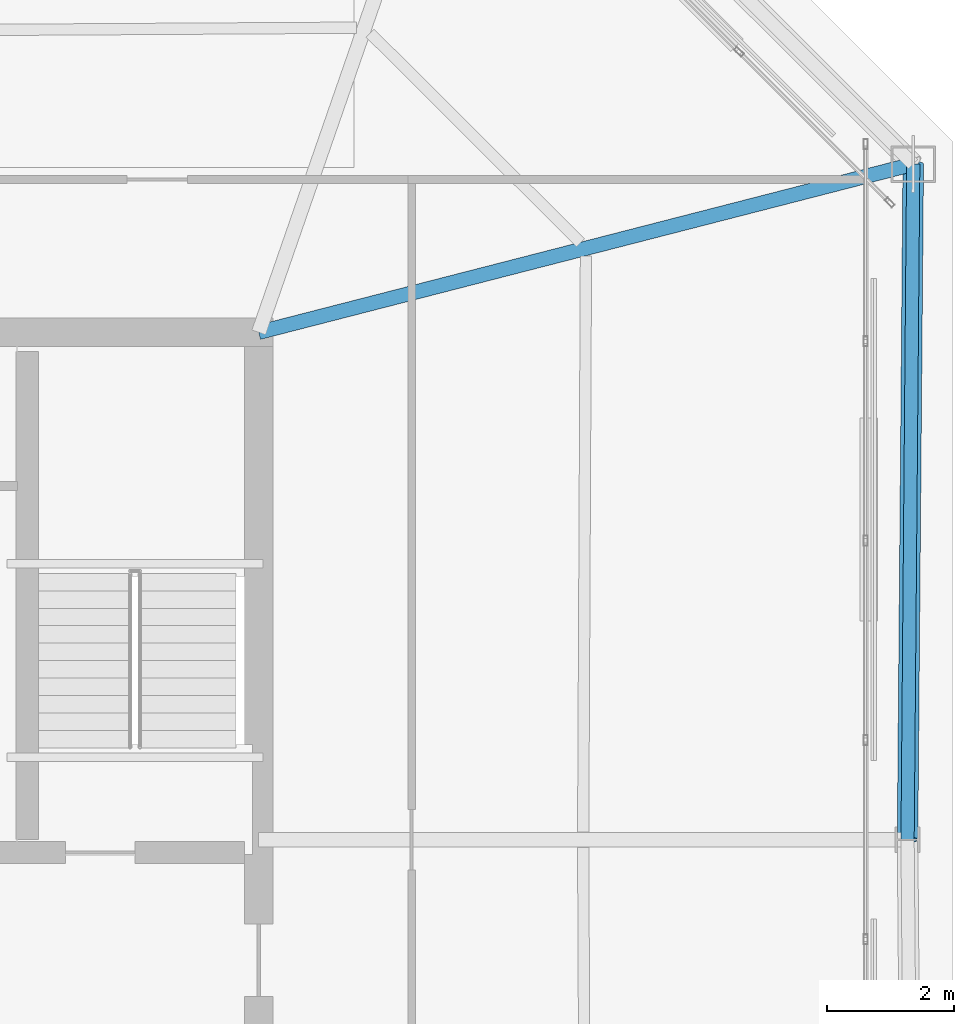
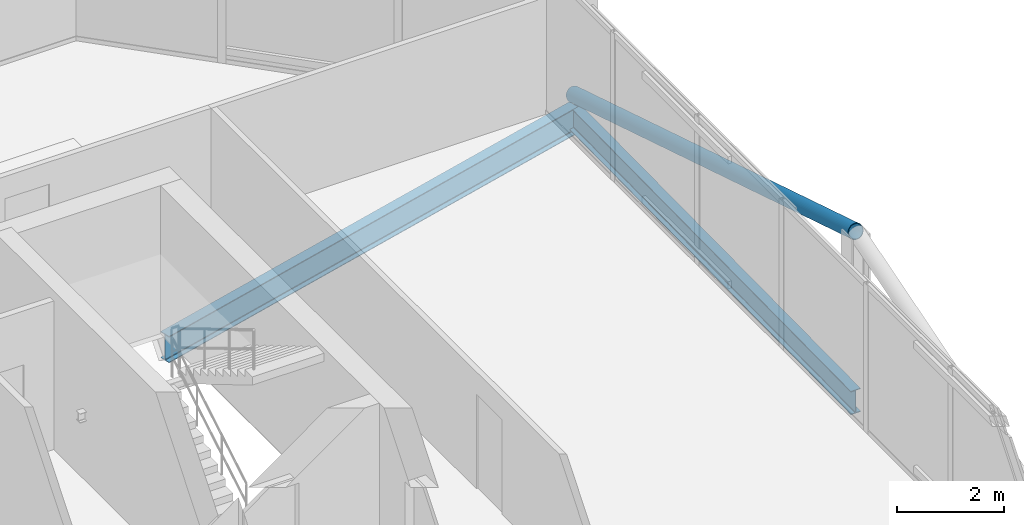
# One storey, part 18 of 26: 2 beams, 1 member.
"""IFC4 building model written with IfcOpenShell, lengths in metres."""

from ifc_helpers import new_model, si_unit, direction, frame, origin, origin_2d, place, context, subcontext, project, spatial, hollow_circle, i_section, extrude, material, material_profile, profile_set, type_object, element, save


model = new_model("IFC4")

# Units and contexts
model_context = context("Model", 3, precision=1e-05, world=origin(), true_north=direction((0.0, 1.0)))
body_context = subcontext(model_context, "Body", "Model", "MODEL_VIEW")
ifc_project = project(units=[si_unit("LENGTHUNIT", "METRE"), si_unit("AREAUNIT", "SQUARE_METRE"), si_unit("VOLUMEUNIT", "CUBIC_METRE"), si_unit("PLANEANGLEUNIT", "RADIAN"), si_unit("MASSUNIT", "GRAM", prefix="KILO")], contexts=[model_context])

# Site, building, storey
site_placement = place(None, origin())
site = spatial("IfcSite", under=ifc_project, at=site_placement, CompositionType="ELEMENT")
building_placement = place(site_placement, origin())
building = spatial("IfcBuilding", under=site, at=building_placement, Name="Caelvoria Tower", CompositionType="ELEMENT")
storey_placement = place(building_placement, frame((0.0, 0.0, 239.39990234375)))
storey = spatial("IfcBuildingStorey", under=building, at=storey_placement, Name="L63", CompositionType="ELEMENT", Elevation=239.39990234375)

# Beam
ifc_material_1 = material(Name="Structural Steel ASTM A992 Gr.50", Category="steel")
ifc_material_profile_1 = material_profile(ifc_material_1, i_section(OverallWidth=0.22802734375, OverallDepth=0.60302734375, WebThickness=0.010498046875, FlangeThickness=0.014892578125, FilletRadius=0.01806640625, at=origin_2d()), Name="Structural Steel ASTM A992 Gr.50")
ifc_profile_set_1 = profile_set([ifc_material_profile_1], Name="W610X101 - Structural Steel ASTM A992 Gr.50")
beam_type_1 = type_object("IfcBeamType", Name="Primary Floor Girder W610X101", PredefinedType="BEAM", material=ifc_profile_set_1)
beam_1_placement = place(storey_placement, frame((55.0, 40.0, -0.5263671875), z_axis=(0.968521506415, 0.248929892964, 0.0), x_axis=(-0.248929892964, 0.968521506415, 0.0)))
element("IfcBeam", 1, at=beam_1_placement, inside=storey, type_object=beam_type_1, Name="Primary Floor Girder L63-05", PredefinedType="BEAM", context=body_context, shape_type="SweptSolid", body=[
    extrude(i_section(OverallWidth=0.22802734375, OverallDepth=0.60302734375, WebThickness=0.010498046875, FlangeThickness=0.014892578125, FilletRadius=0.01806640625, at=origin_2d()), origin(), (0.0, 0.0, 1.0), 10.655029296875),
])

# Member
ifc_material_2 = material(Name="Structural Steel ASTM A572 Gr.50", Category="steel")
ifc_material_profile_2 = material_profile(ifc_material_2, hollow_circle(Radius=0.162109375, WallThickness=0.0126953125, at=origin_2d()), Name="Structural Steel ASTM A572 Gr.50")
ifc_profile_set_2 = profile_set([ifc_material_profile_2], Name="CHS324X12.7 - Structural Steel ASTM A572 Gr.50")
member_type = type_object("IfcMemberType", Name="Summit Perimeter Mega Brace CHS324X12.7", PredefinedType="BRACE", material=ifc_profile_set_2)
member_placement = place(storey_placement, frame((65.319580078125, 42.65234375, 0.0), z_axis=(-0.008018168554, -0.953266295217, 0.302024964821), x_axis=(0.999964627248, -0.008410960263, 0.0)))
element("IfcMember", 2, at=member_placement, inside=storey, type_object=member_type, Name="Perimeter Cardinal Mega Brace L63 EB", PredefinedType="BRACE", context=body_context, shape_type="SweptSolid", body=[
    extrude(hollow_circle(Radius=0.162109375, WallThickness=0.0126953125, at=origin_2d()), origin(), (0.0, 0.0, 1.0), 11.174560546875),
])

# Beam
ifc_material_profile_3 = material_profile(ifc_material_1, i_section(OverallWidth=0.208984375, OverallDepth=0.532958984375, WebThickness=0.01025390625, FlangeThickness=0.015625, FilletRadius=0.01611328125, at=origin_2d()), Name="Structural Steel ASTM A992 Gr.50")
ifc_profile_set_3 = profile_set([ifc_material_profile_3], Name="W530X92 - Structural Steel ASTM A992 Gr.50")
beam_type_2 = type_object("IfcBeamType", Name="Upper Zone Spandrel W530X92", PredefinedType="BEAM", material=ifc_profile_set_3)
beam_2_placement = place(storey_placement, frame((65.22998046875, 32.0, -0.491455078125), z_axis=(0.008410960263, 0.999964627248, 0.0), x_axis=(-0.999964627248, 0.008410960263, 0.0)))
element("IfcBeam", 3, at=beam_2_placement, inside=storey, type_object=beam_type_2, Name="Perimeter Spandrel Girder L63-04", PredefinedType="BEAM", context=body_context, shape_type="SweptSolid", body=[
    extrude(i_section(OverallWidth=0.208984375, OverallDepth=0.532958984375, WebThickness=0.01025390625, FlangeThickness=0.015625, FilletRadius=0.01611328125, at=origin_2d()), origin(), (0.0, 0.0, 1.0), 10.65283203125),
])

save(model, "model.ifc")
